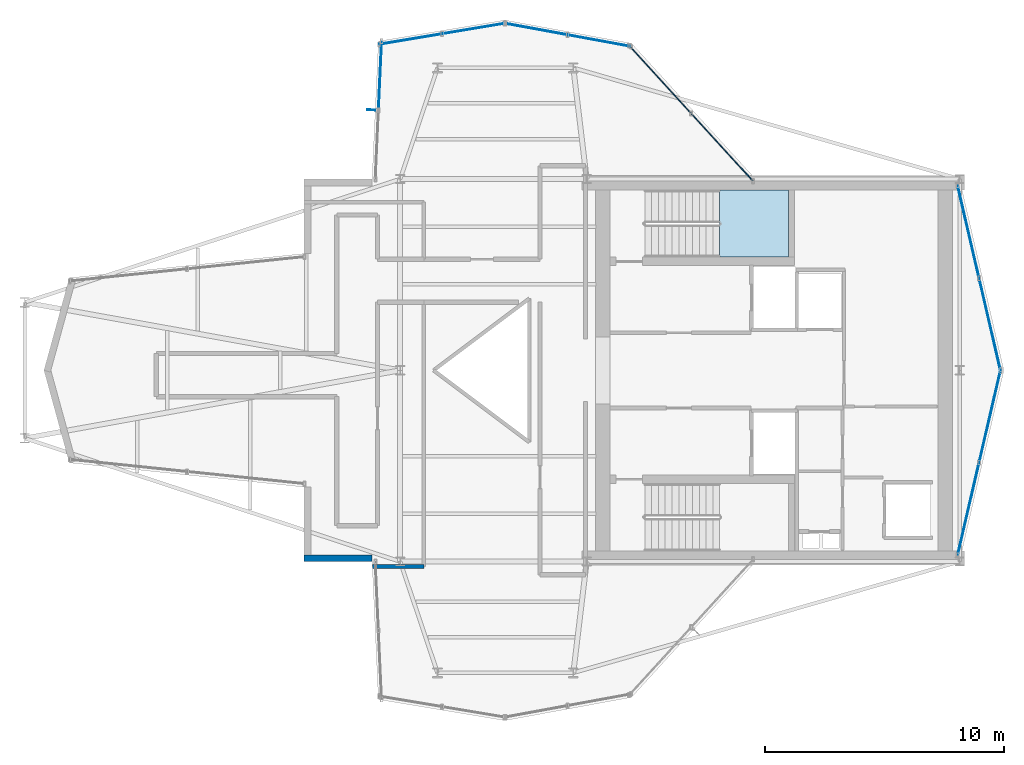
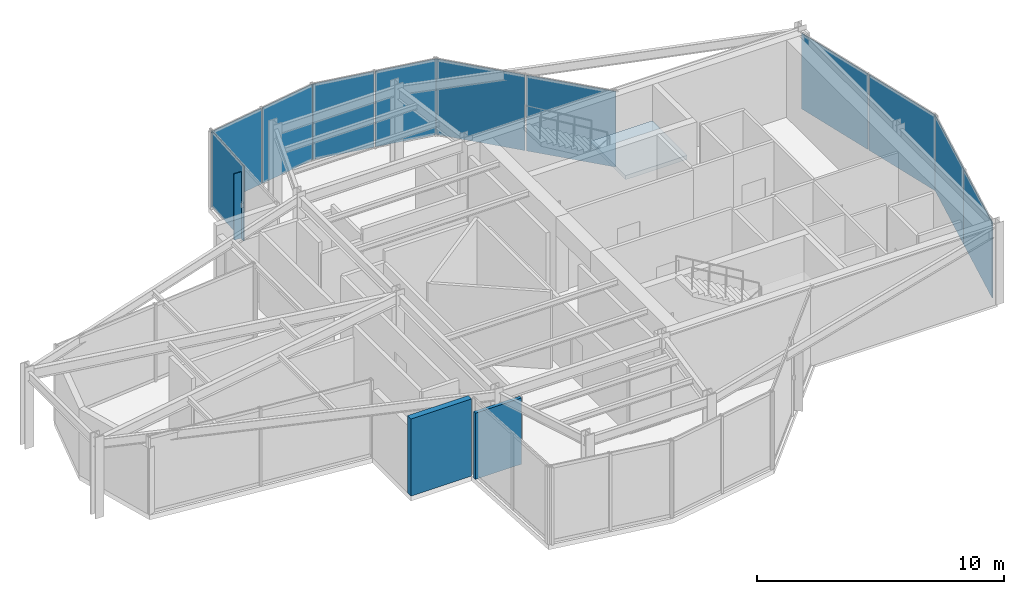
# One storey, part 10 of 13: 12 plates, 2 walls, 1 slab, 7 elements without a shape of their own.
"""IFC4 building model written with IfcOpenShell, lengths in metres."""

from ifc_helpers import new_model, si_unit, direction, frame, frame_2d, origin, origin_2d, place, context, subcontext, project, spatial, polyline, rectangle, outline, extrude, material, layer, layer_set, type_object, element, aggregate, save


model = new_model("IFC4")

# Units and contexts
model_context = context("Model", 3, precision=1e-05, world=origin(), true_north=direction((0.0, 1.0)))
body_context = subcontext(model_context, "Body", "Model", "MODEL_VIEW")
ifc_project = project(units=[si_unit("LENGTHUNIT", "METRE"), si_unit("AREAUNIT", "SQUARE_METRE"), si_unit("VOLUMEUNIT", "CUBIC_METRE"), si_unit("PLANEANGLEUNIT", "RADIAN"), si_unit("MASSUNIT", "GRAM", prefix="KILO")], contexts=[model_context])

# Site, building, storey
site_placement = place(None, origin())
site = spatial("IfcSite", under=ifc_project, at=site_placement, CompositionType="ELEMENT")
building_placement = place(site_placement, origin())
building = spatial("IfcBuilding", under=site, at=building_placement, Name="Veymaron Broadcast Tower", CompositionType="ELEMENT")
storey_placement = place(building_placement, frame((0.0, 0.0, 279.0)))
storey = spatial("IfcBuildingStorey", under=building, at=storey_placement, Name="L65", CompositionType="ELEMENT", Elevation=279.0)

# Curtain wall, plates
ifc_material_1 = material(Name="Anodised aluminium AA 6063-T6 and laminated low-E dark glass", Category="aluminium")
ifc_layer_1 = layer(ifc_material_1, 0.179931640625)
ifc_layer_set_1 = layer_set([ifc_layer_1], Name="Anodised aluminium AA 6063-T6 and laminated low-E dark glass")
curtain_wall_type = type_object("IfcCurtainWallType", Name="CW-SYS-06", PredefinedType="NOTDEFINED", material=ifc_layer_set_1)
curtain_wall_1_placement = place(storey_placement, origin())
curtain_wall_1 = element("IfcCurtainWall", 1, at=curtain_wall_1_placement, inside=storey, type_object=curtain_wall_type, Name="L65 dark-glass curtain wall CW-L65-E2-1", PredefinedType="NOTDEFINED")
ifc_material_2 = material(Name="Insulated dark-anodised aluminium spandrel panel 40 mm", Category="aluminium")
ifc_layer_2 = layer(ifc_material_2, 0.0400390625)
ifc_layer_set_2 = layer_set([ifc_layer_2], Name="Insulated dark-anodised aluminium spandrel panel 40 mm")
plate_type_1 = type_object("IfcPlateType", Name="CW-PNL-03", PredefinedType="CURTAIN_PANEL", material=ifc_layer_set_2)
plate_1_placement = place(storey_placement, frame((54.96826171875, 18.20654296875, 0.0400390625), z_axis=(0.0, 0.0, 1.0), x_axis=(0.226039295589, 0.974118184231, 0.0)))
plate_1 = element("IfcPlate", 2, at=plate_1_placement, type_object=plate_type_1, Name="CW-L65-E2-1 unitised curtain panel 0", PredefinedType="CURTAIN_PANEL", context=body_context, shape_type="SweptSolid", body=[
    extrude(rectangle(XDim=3.926513671875, YDim=0.0400390625, at=origin_2d()), origin(), (0.0, 0.0, 1.0), 3.72998046875),
])
plate_2_placement = place(storey_placement, frame((55.869384765625, 22.08984375, 0.0400390625), z_axis=(0.0, 0.0, 1.0), x_axis=(0.226039295589, 0.974118184231, 0.0)))
plate_2 = element("IfcPlate", 3, at=plate_2_placement, type_object=plate_type_1, Name="CW-L65-E2-1 unitised curtain panel 1", PredefinedType="CURTAIN_PANEL", context=body_context, shape_type="SweptSolid", body=[
    extrude(rectangle(XDim=3.926513671875, YDim=0.0400390625, at=origin_2d()), origin(), (0.0, 0.0, 1.0), 3.72998046875),
])
aggregate(curtain_wall_1, [plate_1, plate_2])

curtain_wall_2_placement = place(storey_placement, origin())
curtain_wall_2 = element("IfcCurtainWall", 4, at=curtain_wall_2_placement, inside=storey, type_object=curtain_wall_type, Name="L65 dark-glass curtain wall CW-L65-E3-1", PredefinedType="NOTDEFINED")
plate_3_placement = place(storey_placement, frame((55.869384765625, 25.91015625, 0.0400390625), z_axis=(0.0, 0.0, 1.0), x_axis=(-0.226039295589, 0.974118184231, 0.0)))
plate_3 = element("IfcPlate", 5, at=plate_3_placement, type_object=plate_type_1, Name="CW-L65-E3-1 unitised curtain panel 0", PredefinedType="CURTAIN_PANEL", context=body_context, shape_type="SweptSolid", body=[
    extrude(rectangle(XDim=3.926513671875, YDim=0.0400390625, at=origin_2d()), origin(), (0.0, 0.0, 1.0), 3.72998046875),
])
plate_4_placement = place(storey_placement, frame((54.96826171875, 29.79345703125, 0.0400390625), z_axis=(0.0, 0.0, 1.0), x_axis=(-0.226039295589, 0.974118184231, 0.0)))
plate_4 = element("IfcPlate", 6, at=plate_4_placement, type_object=plate_type_1, Name="CW-L65-E3-1 unitised curtain panel 1", PredefinedType="CURTAIN_PANEL", context=body_context, shape_type="SweptSolid", body=[
    extrude(rectangle(XDim=3.926513671875, YDim=0.0400390625, at=origin_2d()), origin(), (0.0, 0.0, 1.0), 3.72998046875),
])
aggregate(curtain_wall_2, [plate_3, plate_4])

curtain_wall_3_placement = place(storey_placement, origin())
curtain_wall_3 = element("IfcCurtainWall", 7, at=curtain_wall_3_placement, inside=storey, type_object=curtain_wall_type, Name="L65 dark-glass curtain wall CW-L65-E5-1", PredefinedType="NOTDEFINED")
plate_5_placement = place(storey_placement, frame((44.667724609375, 33.32568359375, 0.0400390625), z_axis=(0.0, 0.0, 1.0), x_axis=(-0.674585884365, 0.738196372665, 0.0)))
plate_5 = element("IfcPlate", 8, at=plate_5_placement, type_object=plate_type_1, Name="CW-L65-E5-1 unitised curtain panel 0", PredefinedType="CURTAIN_PANEL", context=body_context, shape_type="SweptSolid", body=[
    extrude(rectangle(XDim=3.787841796875, YDim=0.0400390625, at=origin_2d()), origin(), (0.0, 0.0, 1.0), 3.72998046875),
])
plate_6_placement = place(storey_placement, frame((42.072021484375, 36.166259765625, 0.0400390625), z_axis=(0.0, 0.0, 1.0), x_axis=(-0.674585884365, 0.738196372665, 0.0)))
plate_6 = element("IfcPlate", 9, at=plate_6_placement, type_object=plate_type_1, Name="CW-L65-E5-1 unitised curtain panel 1", PredefinedType="CURTAIN_PANEL", context=body_context, shape_type="SweptSolid", body=[
    extrude(rectangle(XDim=3.787841796875, YDim=0.0400390625, at=origin_2d()), origin(), (0.0, 0.0, 1.0), 3.72998046875),
])
aggregate(curtain_wall_3, [plate_5, plate_6])

curtain_wall_4_placement = place(storey_placement, origin())
curtain_wall_4 = element("IfcCurtainWall", 10, at=curtain_wall_4_placement, inside=storey, type_object=curtain_wall_type, Name="L65 dark-glass curtain wall CW-L65-E6-1", PredefinedType="NOTDEFINED")
plate_7_placement = place(storey_placement, frame((39.5283203125, 37.7861328125, 0.0400390625), z_axis=(0.0, 0.0, 1.0), x_axis=(-0.983562017505, 0.180570644685, 0.0)))
plate_7 = element("IfcPlate", 11, at=plate_7_placement, type_object=plate_type_1, Name="CW-L65-E6-1 unitised curtain panel 0", PredefinedType="CURTAIN_PANEL", context=body_context, shape_type="SweptSolid", body=[
    extrude(rectangle(XDim=2.632568359375, YDim=0.0400390625, at=origin_2d()), origin(), (0.0, 0.0, 1.0), 3.72998046875),
])
plate_8_placement = place(storey_placement, frame((36.8798828125, 38.2724609375, 0.0400390625), z_axis=(0.0, 0.0, 1.0), x_axis=(-0.983562017505, 0.180570644685, 0.0)))
plate_8 = element("IfcPlate", 12, at=plate_8_placement, type_object=plate_type_1, Name="CW-L65-E6-1 unitised curtain panel 1", PredefinedType="CURTAIN_PANEL", context=body_context, shape_type="SweptSolid", body=[
    extrude(rectangle(XDim=2.632568359375, YDim=0.0400390625, at=origin_2d()), origin(), (0.0, 0.0, 1.0), 3.72998046875),
])
aggregate(curtain_wall_4, [plate_7, plate_8])

curtain_wall_5_placement = place(storey_placement, origin())
curtain_wall_5 = element("IfcCurtainWall", 13, at=curtain_wall_5_placement, inside=storey, type_object=curtain_wall_type, Name="L65 dark-glass curtain wall CW-L65-E7-1", PredefinedType="NOTDEFINED")
plate_9_placement = place(storey_placement, frame((34.280029296875, 38.294189453125, 0.0400390625), z_axis=(0.0, 0.0, 1.0), x_axis=(-0.986354649988, -0.164634457046, 0.0)))
plate_9 = element("IfcPlate", 14, at=plate_9_placement, type_object=plate_type_1, Name="CW-L65-E7-1 unitised curtain panel 0", PredefinedType="CURTAIN_PANEL", context=body_context, shape_type="SweptSolid", body=[
    extrude(rectangle(XDim=2.624755859375, YDim=0.0400390625, at=origin_2d()), origin(), (0.0, 0.0, 1.0), 3.72998046875),
])
plate_10_placement = place(storey_placement, frame((31.6318359375, 37.85205078125, 0.0400390625), z_axis=(0.0, 0.0, 1.0), x_axis=(-0.986354649988, -0.164634457046, 0.0)))
plate_10 = element("IfcPlate", 15, at=plate_10_placement, type_object=plate_type_1, Name="CW-L65-E7-1 unitised curtain panel 1", PredefinedType="CURTAIN_PANEL", context=body_context, shape_type="SweptSolid", body=[
    extrude(rectangle(XDim=2.624755859375, YDim=0.0400390625, at=origin_2d()), origin(), (0.0, 0.0, 1.0), 3.72998046875),
])
aggregate(curtain_wall_5, [plate_9, plate_10])

# Curtain wall, plate
curtain_wall_6_placement = place(storey_placement, origin())
curtain_wall_6 = element("IfcCurtainWall", 16, at=curtain_wall_6_placement, inside=storey, type_object=curtain_wall_type, Name="L65 dark-glass curtain wall CW-L65-E8-1", PredefinedType="NOTDEFINED")
plate_11_placement = place(storey_placement, frame((30.35888671875, 36.320556640625, 0.0400390625), z_axis=(0.0, 0.0, 1.0), x_axis=(-0.045502470291, -0.998964226185, 0.0)))
plate_11 = element("IfcPlate", 17, at=plate_11_placement, type_object=plate_type_1, Name="CW-L65-E8-1 unitised curtain panel 0", PredefinedType="CURTAIN_PANEL", context=body_context, shape_type="SweptSolid", body=[
    extrude(rectangle(XDim=2.82763671875, YDim=0.0400390625, at=origin_2d()), origin(), (0.0, 0.0, 1.0), 3.72998046875),
])
aggregate(curtain_wall_6, [plate_11])

# Plate
ifc_material_3 = material(Name="Dark-anodised aluminium AA 6061-T6", Category="aluminium")
ifc_layer_3 = layer(ifc_material_3, 0.030029296875)
ifc_layer_set_3 = layer_set([ifc_layer_3], Name="Dark-anodised aluminium AA 6061-T6")
plate_type_2 = type_object("IfcPlateType", Name="FIN-CHEV-02", PredefinedType="USERDEFINED", material=ifc_layer_set_3)
plate_12_placement = place(storey_placement, frame((29.988525390625, 34.89208984375, 0.2666015625), z_axis=(0.0, 0.0, 1.0), x_axis=(-0.998964226185, 0.045502470291, 0.0)))
element("IfcPlate", 18, at=plate_12_placement, inside=storey, type_object=plate_type_2, Name="CW-L65-E8-1 chevron fin 1", ObjectType="FIN", PredefinedType="USERDEFINED", context=body_context, shape_type="SweptSolid", body=[
    extrude(rectangle(XDim=0.35009765625, YDim=0.034912109375, at=origin_2d()), origin(), (0.0, 0.0, 1.0), 3.276611328125),
])

# Stair, slab
ifc_material_4 = material(Name="Concrete C50/60", Category="concrete")
stair_type = type_object("IfcStairType", Name="STAIR-CORE-1", PredefinedType="HALF_TURN_STAIR", material=ifc_material_4)
stair_placement = place(storey_placement, origin())
stair = element("IfcStair", 19, at=stair_placement, inside=storey, type_object=stair_type, Name="L65 North protected dog-leg exit stair ST1", PredefinedType="HALF_TURN_STAIR")
ifc_layer_4 = layer(ifc_material_4, 0.199951171875)
ifc_layer_set_4 = layer_set([ifc_layer_4], Name="Concrete C50/60")
slab_type = type_object("IfcSlabType", Name="SLAB-STAIR-LDG", PredefinedType="LANDING", material=ifc_layer_set_4)
slab_placement = place(storey_placement, frame((0.0, 0.0, 1.824951171875)))
slab = element("IfcSlab", 20, at=slab_placement, type_object=slab_type, Name="ST1 landing 1", PredefinedType="LANDING", context=body_context, shape_type="SweptSolid", body=[
    extrude(outline(polyline([(44.56494140625, 28.72998046875), (47.43994140625, 28.72998046875), (47.43994140625, 31.550048828125), (44.56494140625, 31.550048828125), (44.56494140625, 28.72998046875)])), origin(), (0.0, 0.0, 1.0), 0.199951171875),
])
aggregate(stair, [slab])

# Walls
ifc_material_5 = material(Name="Precast concrete C40/50", Category="concrete")
ifc_layer_5 = layer(ifc_material_5, 0.280029296875)
ifc_layer_set_5 = layer_set([ifc_layer_5], Name="Precast concrete C40/50")
wall_type_1 = type_object("IfcWallType", Name="WALL-EXT-280", PredefinedType="STANDARD", material=ifc_layer_set_5)
wall_1_placement = place(storey_placement, frame((27.185546875, 16.139892578125, 0.0), z_axis=(0.0, 0.0, 1.0), x_axis=(1.0, 0.0, 0.0)))
element("IfcWall", 21, at=wall_1_placement, inside=storey, type_object=wall_type_1, Name="L65 notched corner facade pier 16-1", PredefinedType="STANDARD", context=body_context, shape_type="SweptSolid", body=[
    extrude(rectangle(XDim=2.83642578125, YDim=0.280029296875, at=frame_2d((1.418212890625, 0.0))), origin(), (0.0, 0.0, 1.0), 3.81005859375),
])
ifc_material_6 = material(Name="Fire-rated laminated glass in aluminium frame", Category="aluminium")
ifc_layer_6 = layer(ifc_material_6, 0.14990234375)
ifc_layer_set_6 = layer_set([ifc_layer_6], Name="Fire-rated laminated glass in aluminium frame")
wall_type_2 = type_object("IfcWallType", Name="WALL-GLZ-150", PredefinedType="MOVABLE", material=ifc_layer_set_6)
wall_2_placement = place(storey_placement, frame((30.031494140625, 15.7939453125, 0.0), z_axis=(0.0, 0.0, 1.0), x_axis=(1.0, 0.0, 0.0)))
element("IfcWall", 22, at=wall_2_placement, inside=storey, type_object=wall_type_2, Name="L65 partition IW-L65-P21", PredefinedType="MOVABLE", context=body_context, shape_type="SweptSolid", body=[
    extrude(rectangle(XDim=2.16259765625, YDim=0.14990234375, at=frame_2d((1.081298828125, 0.0))), origin(), (0.0, 0.0, 1.0), 3.27001953125),
])

save(model, "model.ifc")
